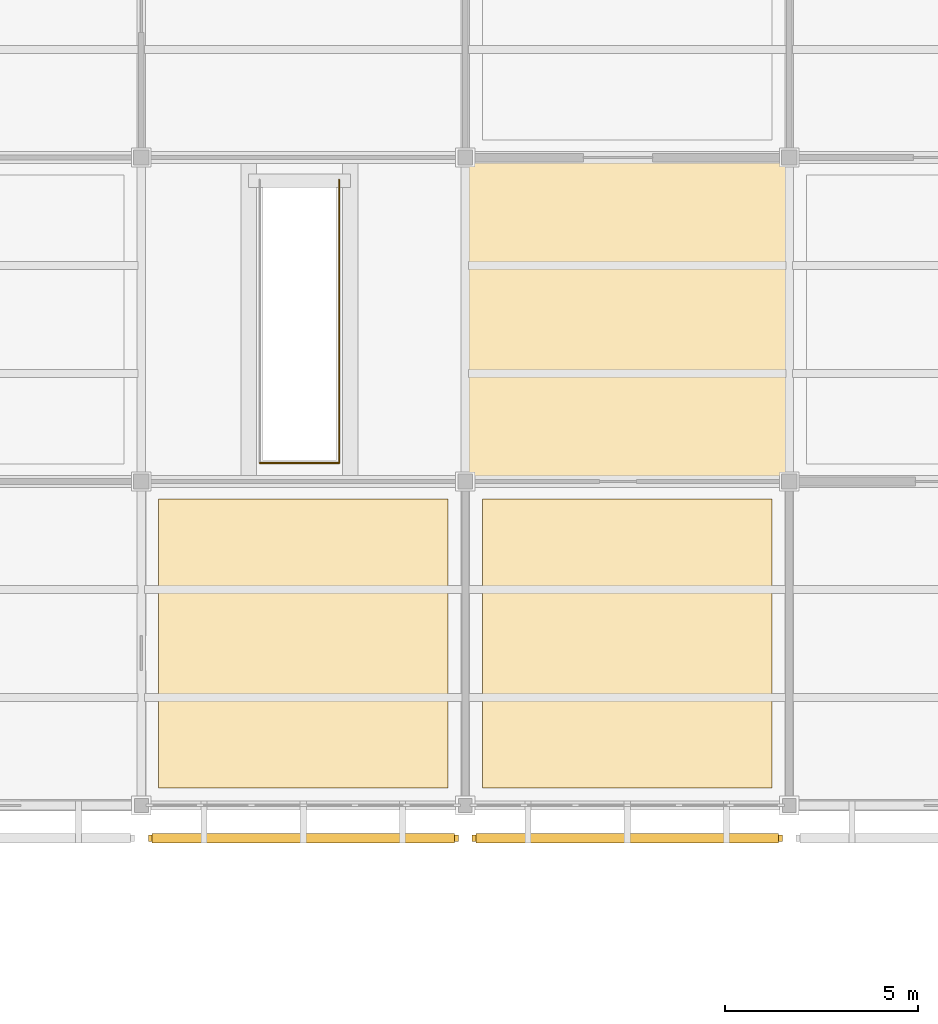
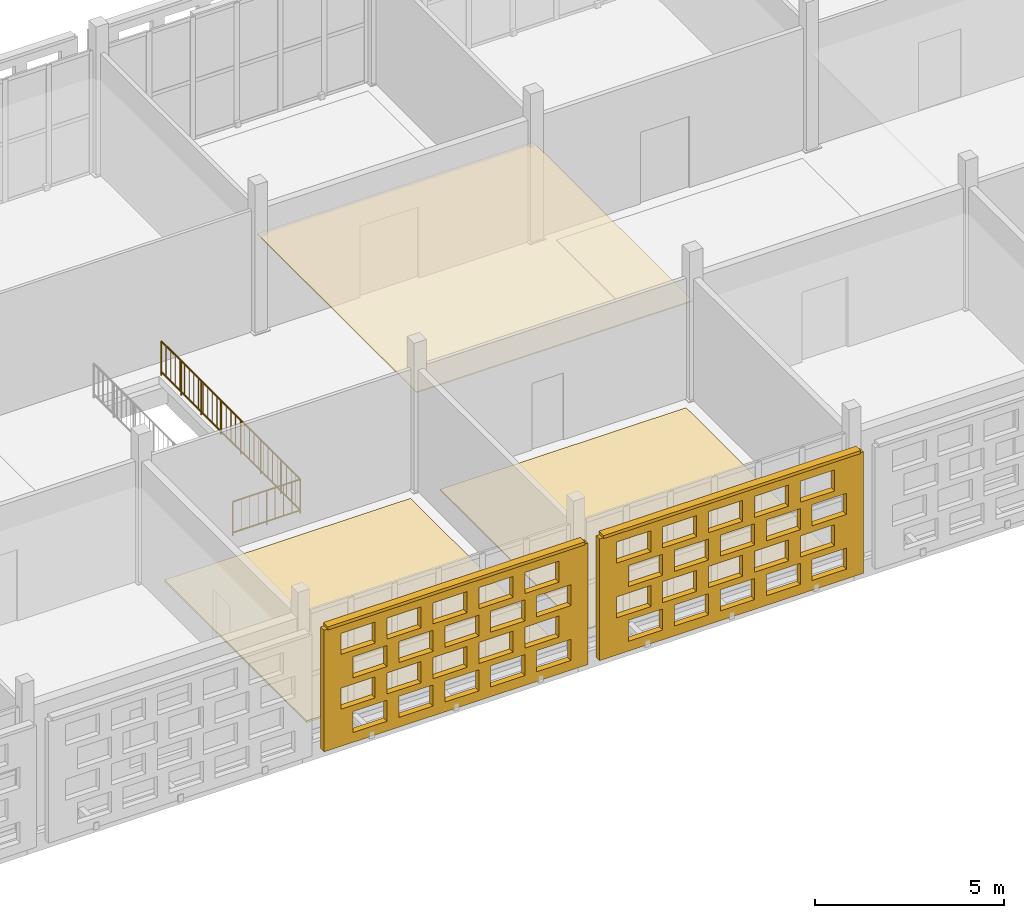
# One storey, part 149 of 203: 5 coverings, 2 railings, 2 shading devices, 40 openings.
"""IFC4 building model written with IfcOpenShell, lengths in metres."""

from ifc_helpers import new_model, si_unit, direction, frame, frame_2d, origin, origin_2d, place, context, subcontext, project, spatial, rectangle, circle, extrude, material, layer, layer_set, type_object, element, save


model = new_model("IFC4")

# Units and contexts
model_context = context("Model", 3, precision=1e-05, world=origin(), true_north=direction((0.0, 1.0)))
body_context = subcontext(model_context, "Body", "Model", "MODEL_VIEW")
ifc_project = project(units=[si_unit("LENGTHUNIT", "METRE"), si_unit("AREAUNIT", "SQUARE_METRE"), si_unit("VOLUMEUNIT", "CUBIC_METRE"), si_unit("PLANEANGLEUNIT", "RADIAN"), si_unit("MASSUNIT", "GRAM", prefix="KILO")], contexts=[model_context])

# Site, building, storey
site_placement = place(None, origin())
site = spatial("IfcSite", under=ifc_project, at=site_placement, CompositionType="ELEMENT")
building_placement = place(site_placement, origin())
building = spatial("IfcBuilding", under=site, at=building_placement, Name="Varnapada Polytechnic", CompositionType="ELEMENT")
storey_placement = place(building_placement, frame((0.0, 0.0, 4.800048828125)))
storey = spatial("IfcBuildingStorey", under=building, at=storey_placement, Name="L01", CompositionType="ELEMENT", Elevation=4.800048828125)

# Coverings
ifc_material_1 = material(Name="Anti-Static Raised Laboratory Flooring")
ifc_layer_1 = layer(ifc_material_1, 0.06005859375)
ifc_layer_set_1 = layer_set([ifc_layer_1], Name="Anti-Static Raised Laboratory Flooring")
covering_type_1 = type_object("IfcCoveringType", Name="Floor Finish FLR-02", PredefinedType="FLOORING", material=ifc_layer_set_1)
covering_1_placement = place(storey_placement, frame((79.800048828125, 21.0, 0.0), z_axis=(0.0, 0.0, 1.0), x_axis=(1.0, 0.0, 0.0)))
element("IfcCovering", 1, at=covering_1_placement, inside=storey, type_object=covering_type_1, Name="L01 floor finish panel (10,3)", PredefinedType="FLOORING", context=body_context, shape_type="SweptSolid", body=[
    extrude(rectangle(XDim=7.5, YDim=7.5, at=origin_2d()), origin(), (0.0, 0.0, 1.0), 0.06005859375),
])
ifc_material_2 = material(Name="Acoustic Rubber Seminar Flooring")
ifc_layer_2 = layer(ifc_material_2, 0.0400390625)
ifc_layer_set_2 = layer_set([ifc_layer_2], Name="Acoustic Rubber Seminar Flooring")
covering_type_2 = type_object("IfcCoveringType", Name="Floor Finish FLR-06", PredefinedType="FLOORING", material=ifc_layer_set_2)
covering_2_placement = place(storey_placement, frame((88.199951171875, 21.0, 0.0), z_axis=(0.0, 0.0, 1.0), x_axis=(1.0, 0.0, 0.0)))
element("IfcCovering", 2, at=covering_2_placement, inside=storey, type_object=covering_type_2, Name="L01 floor finish panel (11,3)", PredefinedType="FLOORING", context=body_context, shape_type="SweptSolid", body=[
    extrude(rectangle(XDim=7.5, YDim=7.5, at=origin_2d()), origin(), (0.0, 0.0, 1.0), 0.0400390625),
])

# Railings
ifc_material_3 = material(Name="Brushed Stainless Steel 316", Category="steel")
railing_type = type_object("IfcRailingType", Name="Stair Well Guard Rail SGR-01", PredefinedType="BALUSTRADE", material=ifc_material_3)
railing_1_placement = place(storey_placement, frame((80.72998046875, 25.679931640625, 0.0)))
element("IfcRailing", 3, at=railing_1_placement, inside=storey, type_object=railing_type, Name="L01 commons stair ST-F5 well guard 2", PredefinedType="BALUSTRADE", context=body_context, shape_type="SweptSolid", body=[
    extrude(circle(Radius=0.02392578125, at=origin_2d()), frame((0.0, 0.0, 1.09619140625), z_axis=(0.0, 1.0, 0.0), x_axis=(-1.0, 0.0, 0.0)), (0.0, 0.0, 1.0), 7.340087890625),
    extrude(circle(Radius=0.02392578125, at=origin_2d()), frame((0.0, 0.0, 0.10009765625), z_axis=(0.0, 1.0, 0.0), x_axis=(-1.0, 0.0, 0.0)), (0.0, 0.0, 1.0), 7.340087890625),
    extrude(circle(Radius=0.02099609375, at=origin_2d()), origin(), (0.0, 0.0, 1.0), 1.072021484375),
    extrude(circle(Radius=0.02099609375, at=origin_2d()), frame((0.0, 1.048583984375, 0.0)), (0.0, 0.0, 1.0), 1.072021484375),
    extrude(circle(Radius=0.02099609375, at=origin_2d()), frame((0.0, 2.09716796875, 0.0)), (0.0, 0.0, 1.0), 1.072021484375),
    extrude(circle(Radius=0.02099609375, at=origin_2d()), frame((0.0, 3.145751953125, 0.0)), (0.0, 0.0, 1.0), 1.072021484375),
    extrude(circle(Radius=0.02099609375, at=origin_2d()), frame((0.0, 4.1943359375, 0.0)), (0.0, 0.0, 1.0), 1.072021484375),
    extrude(circle(Radius=0.02099609375, at=origin_2d()), frame((0.0, 5.242919921875, 0.0)), (0.0, 0.0, 1.0), 1.072021484375),
    extrude(circle(Radius=0.02099609375, at=origin_2d()), frame((0.0, 6.29150390625, 0.0)), (0.0, 0.0, 1.0), 1.072021484375),
    extrude(circle(Radius=0.02099609375, at=origin_2d()), frame((0.0, 7.340087890625, 0.0)), (0.0, 0.0, 1.0), 1.072021484375),
    extrude(circle(Radius=0.010009765625, at=origin_2d()), frame((0.0, 0.24462890625, 0.10009765625)), (0.0, 0.0, 1.0), 0.971923828125),
    extrude(circle(Radius=0.010009765625, at=origin_2d()), frame((0.0, 0.4892578125, 0.10009765625)), (0.0, 0.0, 1.0), 0.971923828125),
    extrude(circle(Radius=0.010009765625, at=origin_2d()), frame((0.0, 0.73388671875, 0.10009765625)), (0.0, 0.0, 1.0), 0.971923828125),
    extrude(circle(Radius=0.010009765625, at=origin_2d()), frame((0.0, 0.978759765625, 0.10009765625)), (0.0, 0.0, 1.0), 0.971923828125),
    extrude(circle(Radius=0.010009765625, at=origin_2d()), frame((0.0, 1.223388671875, 0.10009765625)), (0.0, 0.0, 1.0), 0.971923828125),
    extrude(circle(Radius=0.010009765625, at=origin_2d()), frame((0.0, 1.468017578125, 0.10009765625)), (0.0, 0.0, 1.0), 0.971923828125),
    extrude(circle(Radius=0.010009765625, at=origin_2d()), frame((0.0, 1.712646484375, 0.10009765625)), (0.0, 0.0, 1.0), 0.971923828125),
    extrude(circle(Radius=0.010009765625, at=origin_2d()), frame((0.0, 1.957275390625, 0.10009765625)), (0.0, 0.0, 1.0), 0.971923828125),
    extrude(circle(Radius=0.010009765625, at=origin_2d()), frame((0.0, 2.2021484375, 0.10009765625)), (0.0, 0.0, 1.0), 0.971923828125),
    extrude(circle(Radius=0.010009765625, at=origin_2d()), frame((0.0, 2.44677734375, 0.10009765625)), (0.0, 0.0, 1.0), 0.971923828125),
    extrude(circle(Radius=0.010009765625, at=origin_2d()), frame((0.0, 2.69140625, 0.10009765625)), (0.0, 0.0, 1.0), 0.971923828125),
    extrude(circle(Radius=0.010009765625, at=origin_2d()), frame((0.0, 2.93603515625, 0.10009765625)), (0.0, 0.0, 1.0), 0.971923828125),
    extrude(circle(Radius=0.010009765625, at=origin_2d()), frame((0.0, 3.1806640625, 0.10009765625)), (0.0, 0.0, 1.0), 0.971923828125),
    extrude(circle(Radius=0.010009765625, at=origin_2d()), frame((0.0, 3.42529296875, 0.10009765625)), (0.0, 0.0, 1.0), 0.971923828125),
    extrude(circle(Radius=0.010009765625, at=origin_2d()), frame((0.0, 3.669921875, 0.10009765625)), (0.0, 0.0, 1.0), 0.971923828125),
    extrude(circle(Radius=0.010009765625, at=origin_2d()), frame((0.0, 3.914794921875, 0.10009765625)), (0.0, 0.0, 1.0), 0.971923828125),
    extrude(circle(Radius=0.010009765625, at=origin_2d()), frame((0.0, 4.159423828125, 0.10009765625)), (0.0, 0.0, 1.0), 0.971923828125),
    extrude(circle(Radius=0.010009765625, at=origin_2d()), frame((0.0, 4.404052734375, 0.10009765625)), (0.0, 0.0, 1.0), 0.971923828125),
    extrude(circle(Radius=0.010009765625, at=origin_2d()), frame((0.0, 4.648681640625, 0.10009765625)), (0.0, 0.0, 1.0), 0.971923828125),
    extrude(circle(Radius=0.010009765625, at=origin_2d()), frame((0.0, 4.893310546875, 0.10009765625)), (0.0, 0.0, 1.0), 0.971923828125),
    extrude(circle(Radius=0.010009765625, at=origin_2d()), frame((0.0, 5.13818359375, 0.10009765625)), (0.0, 0.0, 1.0), 0.971923828125),
    extrude(circle(Radius=0.010009765625, at=origin_2d()), frame((0.0, 5.3828125, 0.10009765625)), (0.0, 0.0, 1.0), 0.971923828125),
    extrude(circle(Radius=0.010009765625, at=origin_2d()), frame((0.0, 5.62744140625, 0.10009765625)), (0.0, 0.0, 1.0), 0.971923828125),
    extrude(circle(Radius=0.010009765625, at=origin_2d()), frame((0.0, 5.8720703125, 0.10009765625)), (0.0, 0.0, 1.0), 0.971923828125),
    extrude(circle(Radius=0.010009765625, at=origin_2d()), frame((0.0, 6.11669921875, 0.10009765625)), (0.0, 0.0, 1.0), 0.971923828125),
    extrude(circle(Radius=0.010009765625, at=origin_2d()), frame((0.0, 6.361328125, 0.10009765625)), (0.0, 0.0, 1.0), 0.971923828125),
    extrude(circle(Radius=0.010009765625, at=origin_2d()), frame((0.0, 6.60595703125, 0.10009765625)), (0.0, 0.0, 1.0), 0.971923828125),
    extrude(circle(Radius=0.010009765625, at=origin_2d()), frame((0.0, 6.850830078125, 0.10009765625)), (0.0, 0.0, 1.0), 0.971923828125),
    extrude(circle(Radius=0.010009765625, at=origin_2d()), frame((0.0, 7.095458984375, 0.10009765625)), (0.0, 0.0, 1.0), 0.971923828125),
])
railing_2_placement = place(storey_placement, frame((78.669921875, 25.679931640625, 0.0)))
element("IfcRailing", 4, at=railing_2_placement, inside=storey, type_object=railing_type, Name="L01 commons stair ST-F5 well guard 3", PredefinedType="BALUSTRADE", context=body_context, shape_type="SweptSolid", body=[
    extrude(circle(Radius=0.02392578125, at=origin_2d()), frame((0.0, 0.0, 1.09619140625), z_axis=(1.0, 0.0, 0.0), x_axis=(0.0, 1.0, 0.0)), (0.0, 0.0, 1.0), 2.06005859375),
    extrude(circle(Radius=0.02392578125, at=origin_2d()), frame((0.0, 0.0, 0.10009765625), z_axis=(1.0, 0.0, 0.0), x_axis=(0.0, 1.0, 0.0)), (0.0, 0.0, 1.0), 2.06005859375),
    extrude(circle(Radius=0.02099609375, at=origin_2d()), origin(), (0.0, 0.0, 1.0), 1.072021484375),
    extrude(circle(Radius=0.02099609375, at=origin_2d()), frame((1.030029296875, 0.0, 0.0)), (0.0, 0.0, 1.0), 1.072021484375),
    extrude(circle(Radius=0.02099609375, at=origin_2d()), frame((2.06005859375, 0.0, 0.0)), (0.0, 0.0, 1.0), 1.072021484375),
    extrude(circle(Radius=0.010009765625, at=origin_2d()), frame((0.257568359375, 0.0, 0.10009765625)), (0.0, 0.0, 1.0), 0.971923828125),
    extrude(circle(Radius=0.010009765625, at=origin_2d()), frame((0.51513671875, 0.0, 0.10009765625)), (0.0, 0.0, 1.0), 0.971923828125),
    extrude(circle(Radius=0.010009765625, at=origin_2d()), frame((0.7724609375, 0.0, 0.10009765625)), (0.0, 0.0, 1.0), 0.971923828125),
    extrude(circle(Radius=0.010009765625, at=origin_2d()), frame((1.030029296875, 0.0, 0.10009765625)), (0.0, 0.0, 1.0), 0.971923828125),
    extrude(circle(Radius=0.010009765625, at=origin_2d()), frame((1.28759765625, 0.0, 0.10009765625)), (0.0, 0.0, 1.0), 0.971923828125),
    extrude(circle(Radius=0.010009765625, at=origin_2d()), frame((1.544921875, 0.0, 0.10009765625)), (0.0, 0.0, 1.0), 0.971923828125),
    extrude(circle(Radius=0.010009765625, at=origin_2d()), frame((1.802490234375, 0.0, 0.10009765625)), (0.0, 0.0, 1.0), 0.971923828125),
])

# Covering
ifc_material_4 = material(Name="Cleanroom Laboratory Metal Pan Ceiling")
ifc_layer_3 = layer(ifc_material_4, 0.034912109375)
ifc_layer_set_3 = layer_set([ifc_layer_3], Name="Cleanroom Laboratory Metal Pan Ceiling")
covering_type_3 = type_object("IfcCoveringType", Name="Suspended Ceiling CLG-06", PredefinedType="CEILING", material=ifc_layer_set_3)
covering_3_placement = place(storey_placement, frame((88.199951171875, 29.39990234375, 3.03271484375), z_axis=(0.0, 0.0, 1.0), x_axis=(1.0, 0.0, 0.0)))
element("IfcCovering", 5, at=covering_3_placement, inside=storey, type_object=covering_type_3, Name="L01 suspended acoustic ceiling (11,4)", PredefinedType="CEILING", context=body_context, shape_type="SweptSolid", body=[
    extrude(rectangle(XDim=8.419921875, YDim=8.419921875, at=origin_2d()), origin(), (0.0, 0.0, 1.0), 0.034912109375),
])

# Covering, openings
ifc_material_5 = material(Name="Earth-toned architectural terracotta screen block", Category="masonry")
ifc_layer_4 = layer(ifc_material_5, 0.1201171875)
ifc_layer_set_4 = layer_set([ifc_layer_4], Name="Earth-toned architectural terracotta screen block")
covering_type_4 = type_object("IfcCoveringType", Name="Terracotta Screen Cladding CLD-01", PredefinedType="CLADDING", material=ifc_layer_set_4)
covering_4_placement = place(storey_placement, frame((83.820068359375, 15.949951171875, 0.0), z_axis=(0.0, 0.0, 1.0), x_axis=(-1.0, 0.0, 0.0)))
covering_4 = element("IfcCovering", 6, at=covering_4_placement, inside=storey, type_object=covering_type_4, Name="L01 perforated terracotta block screen (66)", PredefinedType="CLADDING", context=body_context, shape_type="SweptSolid", body=[
    extrude(rectangle(XDim=8.0400390625, YDim=0.179931640625, at=frame_2d((4.02001953125, 0.0))), origin(), (0.0, 0.0, 1.0), 3.919921875),
])
opening_1_placement = place(covering_4_placement, frame((0.52001953125, 0.0, 0.313720703125)))
element("IfcOpeningElement", 7, at=opening_1_placement, cuts=covering_4, Name="Screen perforation TBS-L01-065.1", PredefinedType="OPENING", context=body_context, shape_type="SweptSolid", body=[
    extrude(rectangle(XDim=1.0400390625, YDim=0.679931640625, at=frame_2d((0.52001953125, 0.33984375))), frame((0.0, 0.099853515625, 0.0), z_axis=(0.0, -1.0, 0.0), x_axis=(1.0, 0.0, 0.0)), (0.0, 0.0, 1.0), 0.199951171875),
])
opening_2_placement = place(covering_4_placement, frame((1.919921875, 0.0, 0.313720703125)))
element("IfcOpeningElement", 8, at=opening_2_placement, cuts=covering_4, Name="Screen perforation TBS-L01-065.2", PredefinedType="OPENING", context=body_context, shape_type="SweptSolid", body=[
    extrude(rectangle(XDim=1.0400390625, YDim=0.679931640625, at=frame_2d((0.52001953125, 0.33984375))), frame((0.0, 0.099853515625, 0.0), z_axis=(0.0, -1.0, 0.0), x_axis=(1.0, 0.0, 0.0)), (0.0, 0.0, 1.0), 0.199951171875),
])
opening_3_placement = place(covering_4_placement, frame((3.320068359375, 0.0, 0.313720703125)))
element("IfcOpeningElement", 9, at=opening_3_placement, cuts=covering_4, Name="Screen perforation TBS-L01-065.3", PredefinedType="OPENING", context=body_context, shape_type="SweptSolid", body=[
    extrude(rectangle(XDim=1.0400390625, YDim=0.679931640625, at=frame_2d((0.52001953125, 0.33984375))), frame((0.0, 0.099853515625, 0.0), z_axis=(0.0, -1.0, 0.0), x_axis=(1.0, 0.0, 0.0)), (0.0, 0.0, 1.0), 0.199951171875),
])
opening_4_placement = place(covering_4_placement, frame((4.719970703125, 0.0, 0.313720703125)))
element("IfcOpeningElement", 10, at=opening_4_placement, cuts=covering_4, Name="Screen perforation TBS-L01-065.4", PredefinedType="OPENING", context=body_context, shape_type="SweptSolid", body=[
    extrude(rectangle(XDim=1.0400390625, YDim=0.679931640625, at=frame_2d((0.52001953125, 0.33984375))), frame((0.0, 0.099853515625, 0.0), z_axis=(0.0, -1.0, 0.0), x_axis=(1.0, 0.0, 0.0)), (0.0, 0.0, 1.0), 0.199951171875),
])
opening_5_placement = place(covering_4_placement, frame((6.1201171875, 0.0, 0.313720703125)))
element("IfcOpeningElement", 11, at=opening_5_placement, cuts=covering_4, Name="Screen perforation TBS-L01-065.5", PredefinedType="OPENING", context=body_context, shape_type="SweptSolid", body=[
    extrude(rectangle(XDim=1.0400390625, YDim=0.679931640625, at=frame_2d((0.52001953125, 0.33984375))), frame((0.0, 0.099853515625, 0.0), z_axis=(0.0, -1.0, 0.0), x_axis=(1.0, 0.0, 0.0)), (0.0, 0.0, 1.0), 0.199951171875),
])
opening_6_placement = place(covering_4_placement, frame((0.8798828125, 0.0, 1.195556640625)))
element("IfcOpeningElement", 12, at=opening_6_placement, cuts=covering_4, Name="Screen perforation TBS-L01-065.6", PredefinedType="OPENING", context=body_context, shape_type="SweptSolid", body=[
    extrude(rectangle(XDim=1.0400390625, YDim=0.679931640625, at=frame_2d((0.52001953125, 0.33984375))), frame((0.0, 0.099853515625, 0.0), z_axis=(0.0, -1.0, 0.0), x_axis=(1.0, 0.0, 0.0)), (0.0, 0.0, 1.0), 0.199951171875),
])
opening_7_placement = place(covering_4_placement, frame((2.280029296875, 0.0, 1.195556640625)))
element("IfcOpeningElement", 13, at=opening_7_placement, cuts=covering_4, Name="Screen perforation TBS-L01-065.7", PredefinedType="OPENING", context=body_context, shape_type="SweptSolid", body=[
    extrude(rectangle(XDim=1.0400390625, YDim=0.679931640625, at=frame_2d((0.52001953125, 0.33984375))), frame((0.0, 0.099853515625, 0.0), z_axis=(0.0, -1.0, 0.0), x_axis=(1.0, 0.0, 0.0)), (0.0, 0.0, 1.0), 0.199951171875),
])
opening_8_placement = place(covering_4_placement, frame((3.679931640625, 0.0, 1.195556640625)))
element("IfcOpeningElement", 14, at=opening_8_placement, cuts=covering_4, Name="Screen perforation TBS-L01-065.8", PredefinedType="OPENING", context=body_context, shape_type="SweptSolid", body=[
    extrude(rectangle(XDim=1.0400390625, YDim=0.679931640625, at=frame_2d((0.52001953125, 0.33984375))), frame((0.0, 0.099853515625, 0.0), z_axis=(0.0, -1.0, 0.0), x_axis=(1.0, 0.0, 0.0)), (0.0, 0.0, 1.0), 0.199951171875),
])
opening_9_placement = place(covering_4_placement, frame((5.080078125, 0.0, 1.195556640625)))
element("IfcOpeningElement", 15, at=opening_9_placement, cuts=covering_4, Name="Screen perforation TBS-L01-065.9", PredefinedType="OPENING", context=body_context, shape_type="SweptSolid", body=[
    extrude(rectangle(XDim=1.0400390625, YDim=0.679931640625, at=frame_2d((0.52001953125, 0.33984375))), frame((0.0, 0.099853515625, 0.0), z_axis=(0.0, -1.0, 0.0), x_axis=(1.0, 0.0, 0.0)), (0.0, 0.0, 1.0), 0.199951171875),
])
opening_10_placement = place(covering_4_placement, frame((6.47998046875, 0.0, 1.195556640625)))
element("IfcOpeningElement", 16, at=opening_10_placement, cuts=covering_4, Name="Screen perforation TBS-L01-065.10", PredefinedType="OPENING", context=body_context, shape_type="SweptSolid", body=[
    extrude(rectangle(XDim=1.0400390625, YDim=0.679931640625, at=frame_2d((0.52001953125, 0.33984375))), frame((0.0, 0.099853515625, 0.0), z_axis=(0.0, -1.0, 0.0), x_axis=(1.0, 0.0, 0.0)), (0.0, 0.0, 1.0), 0.199951171875),
])
opening_11_placement = place(covering_4_placement, frame((0.52001953125, 0.0, 2.07763671875)))
element("IfcOpeningElement", 17, at=opening_11_placement, cuts=covering_4, Name="Screen perforation TBS-L01-065.11", PredefinedType="OPENING", context=body_context, shape_type="SweptSolid", body=[
    extrude(rectangle(XDim=1.0400390625, YDim=0.679931640625, at=frame_2d((0.52001953125, 0.33984375))), frame((0.0, 0.099853515625, 0.0), z_axis=(0.0, -1.0, 0.0), x_axis=(1.0, 0.0, 0.0)), (0.0, 0.0, 1.0), 0.199951171875),
])
opening_12_placement = place(covering_4_placement, frame((1.919921875, 0.0, 2.07763671875)))
element("IfcOpeningElement", 18, at=opening_12_placement, cuts=covering_4, Name="Screen perforation TBS-L01-065.12", PredefinedType="OPENING", context=body_context, shape_type="SweptSolid", body=[
    extrude(rectangle(XDim=1.0400390625, YDim=0.679931640625, at=frame_2d((0.52001953125, 0.33984375))), frame((0.0, 0.099853515625, 0.0), z_axis=(0.0, -1.0, 0.0), x_axis=(1.0, 0.0, 0.0)), (0.0, 0.0, 1.0), 0.199951171875),
])
opening_13_placement = place(covering_4_placement, frame((3.320068359375, 0.0, 2.07763671875)))
element("IfcOpeningElement", 19, at=opening_13_placement, cuts=covering_4, Name="Screen perforation TBS-L01-065.13", PredefinedType="OPENING", context=body_context, shape_type="SweptSolid", body=[
    extrude(rectangle(XDim=1.0400390625, YDim=0.679931640625, at=frame_2d((0.52001953125, 0.33984375))), frame((0.0, 0.099853515625, 0.0), z_axis=(0.0, -1.0, 0.0), x_axis=(1.0, 0.0, 0.0)), (0.0, 0.0, 1.0), 0.199951171875),
])
opening_14_placement = place(covering_4_placement, frame((4.719970703125, 0.0, 2.07763671875)))
element("IfcOpeningElement", 20, at=opening_14_placement, cuts=covering_4, Name="Screen perforation TBS-L01-065.14", PredefinedType="OPENING", context=body_context, shape_type="SweptSolid", body=[
    extrude(rectangle(XDim=1.0400390625, YDim=0.679931640625, at=frame_2d((0.52001953125, 0.33984375))), frame((0.0, 0.099853515625, 0.0), z_axis=(0.0, -1.0, 0.0), x_axis=(1.0, 0.0, 0.0)), (0.0, 0.0, 1.0), 0.199951171875),
])
opening_15_placement = place(covering_4_placement, frame((6.1201171875, 0.0, 2.07763671875)))
element("IfcOpeningElement", 21, at=opening_15_placement, cuts=covering_4, Name="Screen perforation TBS-L01-065.15", PredefinedType="OPENING", context=body_context, shape_type="SweptSolid", body=[
    extrude(rectangle(XDim=1.0400390625, YDim=0.679931640625, at=frame_2d((0.52001953125, 0.33984375))), frame((0.0, 0.099853515625, 0.0), z_axis=(0.0, -1.0, 0.0), x_axis=(1.0, 0.0, 0.0)), (0.0, 0.0, 1.0), 0.199951171875),
])
opening_16_placement = place(covering_4_placement, frame((0.8798828125, 0.0, 2.959716796875)))
element("IfcOpeningElement", 22, at=opening_16_placement, cuts=covering_4, Name="Screen perforation TBS-L01-065.16", PredefinedType="OPENING", context=body_context, shape_type="SweptSolid", body=[
    extrude(rectangle(XDim=1.0400390625, YDim=0.679931640625, at=frame_2d((0.52001953125, 0.33984375))), frame((0.0, 0.099853515625, 0.0), z_axis=(0.0, -1.0, 0.0), x_axis=(1.0, 0.0, 0.0)), (0.0, 0.0, 1.0), 0.199951171875),
])
opening_17_placement = place(covering_4_placement, frame((2.280029296875, 0.0, 2.959716796875)))
element("IfcOpeningElement", 23, at=opening_17_placement, cuts=covering_4, Name="Screen perforation TBS-L01-065.17", PredefinedType="OPENING", context=body_context, shape_type="SweptSolid", body=[
    extrude(rectangle(XDim=1.0400390625, YDim=0.679931640625, at=frame_2d((0.52001953125, 0.33984375))), frame((0.0, 0.099853515625, 0.0), z_axis=(0.0, -1.0, 0.0), x_axis=(1.0, 0.0, 0.0)), (0.0, 0.0, 1.0), 0.199951171875),
])
opening_18_placement = place(covering_4_placement, frame((3.679931640625, 0.0, 2.959716796875)))
element("IfcOpeningElement", 24, at=opening_18_placement, cuts=covering_4, Name="Screen perforation TBS-L01-065.18", PredefinedType="OPENING", context=body_context, shape_type="SweptSolid", body=[
    extrude(rectangle(XDim=1.0400390625, YDim=0.679931640625, at=frame_2d((0.52001953125, 0.33984375))), frame((0.0, 0.099853515625, 0.0), z_axis=(0.0, -1.0, 0.0), x_axis=(1.0, 0.0, 0.0)), (0.0, 0.0, 1.0), 0.199951171875),
])
opening_19_placement = place(covering_4_placement, frame((5.080078125, 0.0, 2.959716796875)))
element("IfcOpeningElement", 25, at=opening_19_placement, cuts=covering_4, Name="Screen perforation TBS-L01-065.19", PredefinedType="OPENING", context=body_context, shape_type="SweptSolid", body=[
    extrude(rectangle(XDim=1.0400390625, YDim=0.679931640625, at=frame_2d((0.52001953125, 0.33984375))), frame((0.0, 0.099853515625, 0.0), z_axis=(0.0, -1.0, 0.0), x_axis=(1.0, 0.0, 0.0)), (0.0, 0.0, 1.0), 0.199951171875),
])
opening_20_placement = place(covering_4_placement, frame((6.47998046875, 0.0, 2.959716796875)))
element("IfcOpeningElement", 26, at=opening_20_placement, cuts=covering_4, Name="Screen perforation TBS-L01-065.20", PredefinedType="OPENING", context=body_context, shape_type="SweptSolid", body=[
    extrude(rectangle(XDim=1.0400390625, YDim=0.679931640625, at=frame_2d((0.52001953125, 0.33984375))), frame((0.0, 0.099853515625, 0.0), z_axis=(0.0, -1.0, 0.0), x_axis=(1.0, 0.0, 0.0)), (0.0, 0.0, 1.0), 0.199951171875),
])

covering_5_placement = place(storey_placement, frame((92.219970703125, 15.949951171875, 0.0), z_axis=(0.0, 0.0, 1.0), x_axis=(-1.0, 0.0, 0.0)))
covering_5 = element("IfcCovering", 27, at=covering_5_placement, inside=storey, type_object=covering_type_4, Name="L01 perforated terracotta block screen (72)", PredefinedType="CLADDING", context=body_context, shape_type="SweptSolid", body=[
    extrude(rectangle(XDim=8.0400390625, YDim=0.179931640625, at=frame_2d((4.02001953125, 0.0))), origin(), (0.0, 0.0, 1.0), 3.919921875),
])
opening_21_placement = place(covering_5_placement, frame((0.52001953125, 0.0, 0.313720703125)))
element("IfcOpeningElement", 28, at=opening_21_placement, cuts=covering_5, Name="Screen perforation TBS-L01-071.1", PredefinedType="OPENING", context=body_context, shape_type="SweptSolid", body=[
    extrude(rectangle(XDim=1.0400390625, YDim=0.679931640625, at=frame_2d((0.52001953125, 0.33984375))), frame((0.0, 0.099853515625, 0.0), z_axis=(0.0, -1.0, 0.0), x_axis=(1.0, 0.0, 0.0)), (0.0, 0.0, 1.0), 0.199951171875),
])
opening_22_placement = place(covering_5_placement, frame((1.919921875, 0.0, 0.313720703125)))
element("IfcOpeningElement", 29, at=opening_22_placement, cuts=covering_5, Name="Screen perforation TBS-L01-071.2", PredefinedType="OPENING", context=body_context, shape_type="SweptSolid", body=[
    extrude(rectangle(XDim=1.0400390625, YDim=0.679931640625, at=frame_2d((0.52001953125, 0.33984375))), frame((0.0, 0.099853515625, 0.0), z_axis=(0.0, -1.0, 0.0), x_axis=(1.0, 0.0, 0.0)), (0.0, 0.0, 1.0), 0.199951171875),
])
opening_23_placement = place(covering_5_placement, frame((3.320068359375, 0.0, 0.313720703125)))
element("IfcOpeningElement", 30, at=opening_23_placement, cuts=covering_5, Name="Screen perforation TBS-L01-071.3", PredefinedType="OPENING", context=body_context, shape_type="SweptSolid", body=[
    extrude(rectangle(XDim=1.0400390625, YDim=0.679931640625, at=frame_2d((0.52001953125, 0.33984375))), frame((0.0, 0.099853515625, 0.0), z_axis=(0.0, -1.0, 0.0), x_axis=(1.0, 0.0, 0.0)), (0.0, 0.0, 1.0), 0.199951171875),
])
opening_24_placement = place(covering_5_placement, frame((4.719970703125, 0.0, 0.313720703125)))
element("IfcOpeningElement", 31, at=opening_24_placement, cuts=covering_5, Name="Screen perforation TBS-L01-071.4", PredefinedType="OPENING", context=body_context, shape_type="SweptSolid", body=[
    extrude(rectangle(XDim=1.0400390625, YDim=0.679931640625, at=frame_2d((0.52001953125, 0.33984375))), frame((0.0, 0.099853515625, 0.0), z_axis=(0.0, -1.0, 0.0), x_axis=(1.0, 0.0, 0.0)), (0.0, 0.0, 1.0), 0.199951171875),
])
opening_25_placement = place(covering_5_placement, frame((6.1201171875, 0.0, 0.313720703125)))
element("IfcOpeningElement", 32, at=opening_25_placement, cuts=covering_5, Name="Screen perforation TBS-L01-071.5", PredefinedType="OPENING", context=body_context, shape_type="SweptSolid", body=[
    extrude(rectangle(XDim=1.0400390625, YDim=0.679931640625, at=frame_2d((0.52001953125, 0.33984375))), frame((0.0, 0.099853515625, 0.0), z_axis=(0.0, -1.0, 0.0), x_axis=(1.0, 0.0, 0.0)), (0.0, 0.0, 1.0), 0.199951171875),
])
opening_26_placement = place(covering_5_placement, frame((0.8798828125, 0.0, 1.195556640625)))
element("IfcOpeningElement", 33, at=opening_26_placement, cuts=covering_5, Name="Screen perforation TBS-L01-071.6", PredefinedType="OPENING", context=body_context, shape_type="SweptSolid", body=[
    extrude(rectangle(XDim=1.0400390625, YDim=0.679931640625, at=frame_2d((0.52001953125, 0.33984375))), frame((0.0, 0.099853515625, 0.0), z_axis=(0.0, -1.0, 0.0), x_axis=(1.0, 0.0, 0.0)), (0.0, 0.0, 1.0), 0.199951171875),
])
opening_27_placement = place(covering_5_placement, frame((2.280029296875, 0.0, 1.195556640625)))
element("IfcOpeningElement", 34, at=opening_27_placement, cuts=covering_5, Name="Screen perforation TBS-L01-071.7", PredefinedType="OPENING", context=body_context, shape_type="SweptSolid", body=[
    extrude(rectangle(XDim=1.0400390625, YDim=0.679931640625, at=frame_2d((0.52001953125, 0.33984375))), frame((0.0, 0.099853515625, 0.0), z_axis=(0.0, -1.0, 0.0), x_axis=(1.0, 0.0, 0.0)), (0.0, 0.0, 1.0), 0.199951171875),
])
opening_28_placement = place(covering_5_placement, frame((3.679931640625, 0.0, 1.195556640625)))
element("IfcOpeningElement", 35, at=opening_28_placement, cuts=covering_5, Name="Screen perforation TBS-L01-071.8", PredefinedType="OPENING", context=body_context, shape_type="SweptSolid", body=[
    extrude(rectangle(XDim=1.0400390625, YDim=0.679931640625, at=frame_2d((0.52001953125, 0.33984375))), frame((0.0, 0.099853515625, 0.0), z_axis=(0.0, -1.0, 0.0), x_axis=(1.0, 0.0, 0.0)), (0.0, 0.0, 1.0), 0.199951171875),
])
opening_29_placement = place(covering_5_placement, frame((5.080078125, 0.0, 1.195556640625)))
element("IfcOpeningElement", 36, at=opening_29_placement, cuts=covering_5, Name="Screen perforation TBS-L01-071.9", PredefinedType="OPENING", context=body_context, shape_type="SweptSolid", body=[
    extrude(rectangle(XDim=1.0400390625, YDim=0.679931640625, at=frame_2d((0.52001953125, 0.33984375))), frame((0.0, 0.099853515625, 0.0), z_axis=(0.0, -1.0, 0.0), x_axis=(1.0, 0.0, 0.0)), (0.0, 0.0, 1.0), 0.199951171875),
])
opening_30_placement = place(covering_5_placement, frame((6.47998046875, 0.0, 1.195556640625)))
element("IfcOpeningElement", 37, at=opening_30_placement, cuts=covering_5, Name="Screen perforation TBS-L01-071.10", PredefinedType="OPENING", context=body_context, shape_type="SweptSolid", body=[
    extrude(rectangle(XDim=1.0400390625, YDim=0.679931640625, at=frame_2d((0.52001953125, 0.33984375))), frame((0.0, 0.099853515625, 0.0), z_axis=(0.0, -1.0, 0.0), x_axis=(1.0, 0.0, 0.0)), (0.0, 0.0, 1.0), 0.199951171875),
])
opening_31_placement = place(covering_5_placement, frame((0.52001953125, 0.0, 2.07763671875)))
element("IfcOpeningElement", 38, at=opening_31_placement, cuts=covering_5, Name="Screen perforation TBS-L01-071.11", PredefinedType="OPENING", context=body_context, shape_type="SweptSolid", body=[
    extrude(rectangle(XDim=1.0400390625, YDim=0.679931640625, at=frame_2d((0.52001953125, 0.33984375))), frame((0.0, 0.099853515625, 0.0), z_axis=(0.0, -1.0, 0.0), x_axis=(1.0, 0.0, 0.0)), (0.0, 0.0, 1.0), 0.199951171875),
])
opening_32_placement = place(covering_5_placement, frame((1.919921875, 0.0, 2.07763671875)))
element("IfcOpeningElement", 39, at=opening_32_placement, cuts=covering_5, Name="Screen perforation TBS-L01-071.12", PredefinedType="OPENING", context=body_context, shape_type="SweptSolid", body=[
    extrude(rectangle(XDim=1.0400390625, YDim=0.679931640625, at=frame_2d((0.52001953125, 0.33984375))), frame((0.0, 0.099853515625, 0.0), z_axis=(0.0, -1.0, 0.0), x_axis=(1.0, 0.0, 0.0)), (0.0, 0.0, 1.0), 0.199951171875),
])
opening_33_placement = place(covering_5_placement, frame((3.320068359375, 0.0, 2.07763671875)))
element("IfcOpeningElement", 40, at=opening_33_placement, cuts=covering_5, Name="Screen perforation TBS-L01-071.13", PredefinedType="OPENING", context=body_context, shape_type="SweptSolid", body=[
    extrude(rectangle(XDim=1.0400390625, YDim=0.679931640625, at=frame_2d((0.52001953125, 0.33984375))), frame((0.0, 0.099853515625, 0.0), z_axis=(0.0, -1.0, 0.0), x_axis=(1.0, 0.0, 0.0)), (0.0, 0.0, 1.0), 0.199951171875),
])
opening_34_placement = place(covering_5_placement, frame((4.719970703125, 0.0, 2.07763671875)))
element("IfcOpeningElement", 41, at=opening_34_placement, cuts=covering_5, Name="Screen perforation TBS-L01-071.14", PredefinedType="OPENING", context=body_context, shape_type="SweptSolid", body=[
    extrude(rectangle(XDim=1.0400390625, YDim=0.679931640625, at=frame_2d((0.52001953125, 0.33984375))), frame((0.0, 0.099853515625, 0.0), z_axis=(0.0, -1.0, 0.0), x_axis=(1.0, 0.0, 0.0)), (0.0, 0.0, 1.0), 0.199951171875),
])
opening_35_placement = place(covering_5_placement, frame((6.1201171875, 0.0, 2.07763671875)))
element("IfcOpeningElement", 42, at=opening_35_placement, cuts=covering_5, Name="Screen perforation TBS-L01-071.15", PredefinedType="OPENING", context=body_context, shape_type="SweptSolid", body=[
    extrude(rectangle(XDim=1.0400390625, YDim=0.679931640625, at=frame_2d((0.52001953125, 0.33984375))), frame((0.0, 0.099853515625, 0.0), z_axis=(0.0, -1.0, 0.0), x_axis=(1.0, 0.0, 0.0)), (0.0, 0.0, 1.0), 0.199951171875),
])
opening_36_placement = place(covering_5_placement, frame((0.8798828125, 0.0, 2.959716796875)))
element("IfcOpeningElement", 43, at=opening_36_placement, cuts=covering_5, Name="Screen perforation TBS-L01-071.16", PredefinedType="OPENING", context=body_context, shape_type="SweptSolid", body=[
    extrude(rectangle(XDim=1.0400390625, YDim=0.679931640625, at=frame_2d((0.52001953125, 0.33984375))), frame((0.0, 0.099853515625, 0.0), z_axis=(0.0, -1.0, 0.0), x_axis=(1.0, 0.0, 0.0)), (0.0, 0.0, 1.0), 0.199951171875),
])
opening_37_placement = place(covering_5_placement, frame((2.280029296875, 0.0, 2.959716796875)))
element("IfcOpeningElement", 44, at=opening_37_placement, cuts=covering_5, Name="Screen perforation TBS-L01-071.17", PredefinedType="OPENING", context=body_context, shape_type="SweptSolid", body=[
    extrude(rectangle(XDim=1.0400390625, YDim=0.679931640625, at=frame_2d((0.52001953125, 0.33984375))), frame((0.0, 0.099853515625, 0.0), z_axis=(0.0, -1.0, 0.0), x_axis=(1.0, 0.0, 0.0)), (0.0, 0.0, 1.0), 0.199951171875),
])
opening_38_placement = place(covering_5_placement, frame((3.679931640625, 0.0, 2.959716796875)))
element("IfcOpeningElement", 45, at=opening_38_placement, cuts=covering_5, Name="Screen perforation TBS-L01-071.18", PredefinedType="OPENING", context=body_context, shape_type="SweptSolid", body=[
    extrude(rectangle(XDim=1.0400390625, YDim=0.679931640625, at=frame_2d((0.52001953125, 0.33984375))), frame((0.0, 0.099853515625, 0.0), z_axis=(0.0, -1.0, 0.0), x_axis=(1.0, 0.0, 0.0)), (0.0, 0.0, 1.0), 0.199951171875),
])
opening_39_placement = place(covering_5_placement, frame((5.080078125, 0.0, 2.959716796875)))
element("IfcOpeningElement", 46, at=opening_39_placement, cuts=covering_5, Name="Screen perforation TBS-L01-071.19", PredefinedType="OPENING", context=body_context, shape_type="SweptSolid", body=[
    extrude(rectangle(XDim=1.0400390625, YDim=0.679931640625, at=frame_2d((0.52001953125, 0.33984375))), frame((0.0, 0.099853515625, 0.0), z_axis=(0.0, -1.0, 0.0), x_axis=(1.0, 0.0, 0.0)), (0.0, 0.0, 1.0), 0.199951171875),
])
opening_40_placement = place(covering_5_placement, frame((6.47998046875, 0.0, 2.959716796875)))
element("IfcOpeningElement", 47, at=opening_40_placement, cuts=covering_5, Name="Screen perforation TBS-L01-071.20", PredefinedType="OPENING", context=body_context, shape_type="SweptSolid", body=[
    extrude(rectangle(XDim=1.0400390625, YDim=0.679931640625, at=frame_2d((0.52001953125, 0.33984375))), frame((0.0, 0.099853515625, 0.0), z_axis=(0.0, -1.0, 0.0), x_axis=(1.0, 0.0, 0.0)), (0.0, 0.0, 1.0), 0.199951171875),
])

# Shading devices
ifc_layer_5 = layer(ifc_material_5, 0.179931640625)
ifc_layer_set_5 = layer_set([ifc_layer_5], Name="Earth-toned architectural terracotta screen block")
shading_device_type = type_object("IfcShadingDeviceType", Name="Terracotta Screen SCR-02", PredefinedType="USERDEFINED", material=ifc_layer_set_5)
for number, where, z_axis, x_axis, name in (
    (48, (79.800048828125, 15.949951171875, 3.909912109375), (0.0, 0.0, 1.0), (-1.0, 0.0, 0.0), "L01 perforated terracotta screen hood 145"),
    (49, (88.199951171875, 15.949951171875, 3.909912109375), (0.0, 0.0, 1.0), (-1.0, 0.0, 0.0), "L01 perforated terracotta screen hood 151"),
):
    element("IfcShadingDevice", number, at=place(storey_placement, frame(where, z_axis=z_axis, x_axis=x_axis)), inside=storey, type_object=shading_device_type, Name=name, ObjectType="SCREEN", PredefinedType="USERDEFINED", context=body_context, shape_type="SweptSolid", body=[
        extrude(rectangle(XDim=7.840087890625, YDim=0.239990234375, at=origin_2d()), origin(), (0.0, 0.0, 1.0), 0.10009765625),
    ])

save(model, "model.ifc")
